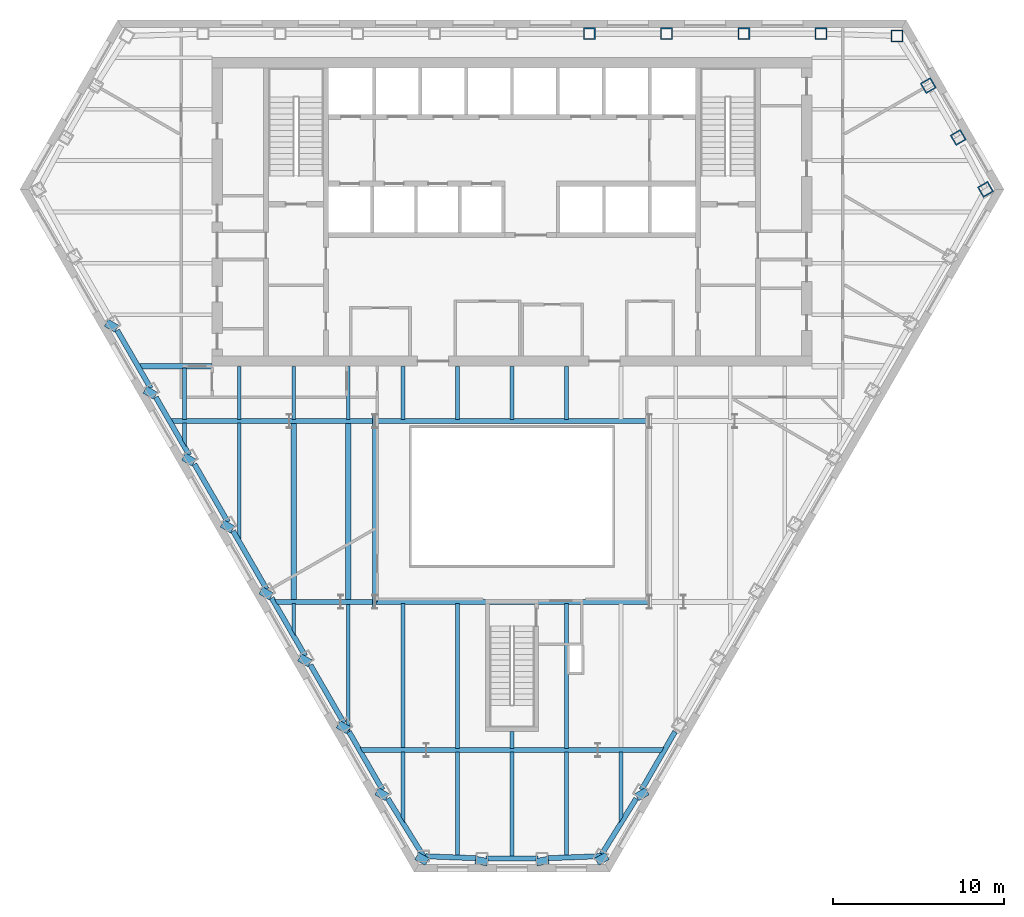
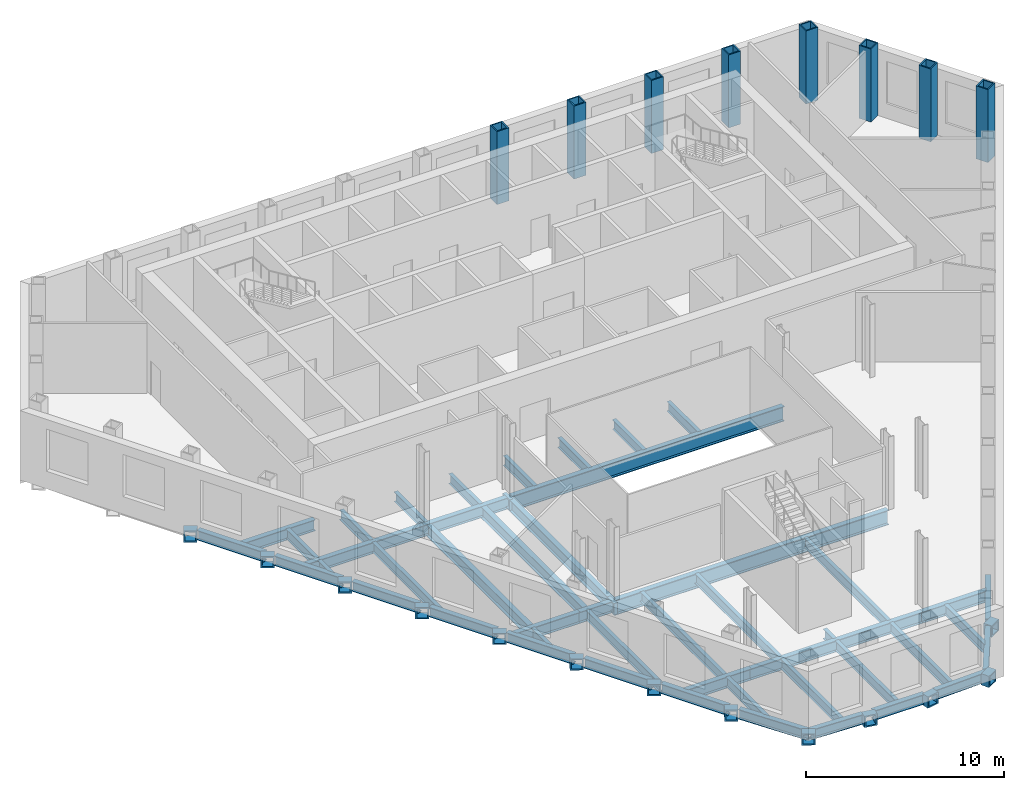
# One storey, part 2 of 11: 62 beams, 8 columns.
"""IFC4 building model written with IfcOpenShell, lengths in metres."""

from ifc_helpers import new_model, si_unit, direction, frame, origin, origin_2d, place, context, subcontext, project, spatial, hollow_rectangle, i_section, extrude, clip, halfspace, material, material_profile, profile_set, type_object, element, save


model = new_model("IFC4")

# Units and contexts
model_context = context("Model", 3, precision=1e-05, world=origin(), true_north=direction((0.0, 1.0)))
body_context = subcontext(model_context, "Body", "Model", "MODEL_VIEW")
ifc_project = project(units=[si_unit("LENGTHUNIT", "METRE"), si_unit("AREAUNIT", "SQUARE_METRE"), si_unit("VOLUMEUNIT", "CUBIC_METRE"), si_unit("PLANEANGLEUNIT", "RADIAN"), si_unit("MASSUNIT", "GRAM", prefix="KILO")], contexts=[model_context])

# Site, building, storey
site_placement = place(None, origin())
site = spatial("IfcSite", under=ifc_project, at=site_placement, CompositionType="ELEMENT")
building_placement = place(site_placement, origin())
building = spatial("IfcBuilding", under=site, at=building_placement, Name="Njiva Tower", CompositionType="ELEMENT")
storey_placement = place(building_placement, frame((0.0, 0.0, 46.8)))
storey = spatial("IfcBuildingStorey", under=building, at=storey_placement, Name="L09", CompositionType="ELEMENT", Elevation=46.8)

# Columns
ifc_material = material(Name="Steel S355 J2", Category="steel")
ifc_material_profile_1 = material_profile(ifc_material, hollow_rectangle(XDim=0.7, YDim=0.7, WallThickness=0.07, at=origin_2d()), Name="BOX 700x700x70")
ifc_profile_set_1 = profile_set([ifc_material_profile_1], Name="Steel S355 J2")
column_type = type_object("IfcColumnType", Name="C5 Perimeter tube column BOX 700x700x70", PredefinedType="COLUMN", material=ifc_profile_set_1)
for number, where, z_axis, x_axis, name in (
    (1, (22.461, 19.267, 0.0), (0.0, 0.0, 1.0), (-1.0, 0.0, 0.0), "Perimeter tube column S03-C01"),
    (2, (18.03, 19.4, 0.0), (0.0, 0.0, 1.0), (-1.0, 0.0, 0.0), "Perimeter tube column S03-C02"),
    (3, (13.523, 19.4, 0.0), (0.0, 0.0, 1.0), (-1.0, 0.0, 0.0), "Perimeter tube column S03-C03"),
    (4, (9.015, 19.4, 0.0), (0.0, 0.0, 1.0), (-1.0, 0.0, 0.0), "Perimeter tube column S03-C04"),
    (5, (4.508, 19.4, 0.0), (0.0, 0.0, 1.0), (-1.0, 0.0, 0.0), "Perimeter tube column S03-C05"),
    (6, (27.628, 10.319, 0.0), (0.0, 0.0, 1.0), (-0.5, 0.866025403784, 0.0), "Perimeter tube column S03-C37"),
    (7, (26.034, 13.346, 0.0), (0.0, 0.0, 1.0), (-0.5, 0.866025403784, 0.0), "Perimeter tube column S03-C38"),
    (8, (24.286, 16.373, 0.0), (0.0, 0.0, 1.0), (-0.5, 0.866025403784, 0.0), "Perimeter tube column S03-C39"),
):
    element("IfcColumn", number, at=place(storey_placement, frame(where, z_axis=z_axis, x_axis=x_axis)), inside=storey, type_object=column_type, Name=name, PredefinedType="COLUMN", context=body_context, shape_type="SweptSolid", body=[
        extrude(hollow_rectangle(XDim=0.7, YDim=0.7, WallThickness=0.07, at=origin_2d()), origin(), (0.0, 0.0, 1.0), 4.5),
    ])

# Beams
ifc_material_profile_2 = material_profile(ifc_material, i_section(OverallWidth=0.3, OverallDepth=0.69, WebThickness=0.0145, FlangeThickness=0.027, at=origin_2d()), Name="HEA 700")
ifc_profile_set_2 = profile_set([ifc_material_profile_2], Name="Steel S355 J2")
beam_type_1 = type_object("IfcBeamType", Name="B12 Long-span floor joist HEA 700", PredefinedType="JOIST", material=ifc_profile_set_2)
for number, where, z_axis, x_axis, name in (
    (9, (-12.733, -3.3, -0.545), (0.0, -1.0, 0.0), (1.0, 0.0, 0.0), "Long-span floor joist S03-B065"),
    (10, (-9.55, -3.3, -0.545), (0.0, -1.0, 0.0), (1.0, 0.0, 0.0), "Long-span floor joist S03-B069"),
):
    element("IfcBeam", number, at=place(storey_placement, frame(where, z_axis=z_axis, x_axis=x_axis)), inside=storey, type_object=beam_type_1, Name=name, PredefinedType="JOIST", context=body_context, shape_type="SweptSolid", body=[
        extrude(i_section(OverallWidth=0.3, OverallDepth=0.69, WebThickness=0.0145, FlangeThickness=0.027, at=origin_2d()), origin(), (0.0, 0.0, 1.0), 10.35),
    ])
ifc_material_profile_3 = material_profile(ifc_material, i_section(OverallWidth=0.22, OverallDepth=0.6, WebThickness=0.012, FlangeThickness=0.019, at=origin_2d()), Name="IPE 600")
ifc_profile_set_3 = profile_set([ifc_material_profile_3], Name="Steel S355 J2")
beam_type_2 = type_object("IfcBeamType", Name="B13 Floor joist IPE 600", PredefinedType="JOIST", material=ifc_profile_set_3)
beam_1_placement = place(storey_placement, frame((-15.917, -3.3, -0.5), z_axis=(0.0, -1.0, 0.0), x_axis=(1.0, 0.0, 0.0)))
element("IfcBeam", 11, at=beam_1_placement, inside=storey, type_object=beam_type_2, Name="Floor joist S03-B062", PredefinedType="JOIST", context=body_context, shape_type="Clipping", body=[
    clip(extrude(i_section(OverallWidth=0.22, OverallDepth=0.6, WebThickness=0.012, FlangeThickness=0.019, at=origin_2d()), origin(), (0.0, 0.0, 1.0), 6.942), halfspace(frame((-0.043, 0.0, 6.6564), z_axis=(-0.866026552831, 0.0, 0.499998009787), x_axis=(0.0, 1.0, 0.0)), False)),
])
beam_2_placement = place(storey_placement, frame((-9.55, -13.85, -0.5), z_axis=(0.0, -1.0, 0.0), x_axis=(1.0, 0.0, 0.0)))
element("IfcBeam", 12, at=beam_2_placement, inside=storey, type_object=beam_type_2, Name="Floor joist S03-B067", PredefinedType="JOIST", context=body_context, shape_type="Clipping", body=[
    clip(extrude(i_section(OverallWidth=0.22, OverallDepth=0.6, WebThickness=0.012, FlangeThickness=0.019, at=origin_2d()), origin(), (0.0, 0.0, 1.0), 7.635), halfspace(frame((-0.0433, 0.0, 7.349), z_axis=(-0.866026552831, 0.0, 0.499998009787), x_axis=(0.0, 1.0, 0.0)), False)),
])
for number, where, z_axis, x_axis, name in (
    (13, (-6.367, -13.851, -0.5), (0.0, -1.0, 0.0), (1.0, 0.0, 0.0), "Floor joist S03-B072"),
    (14, (-3.183, -13.851, -0.5), (0.0, -1.0, 0.0), (1.0, 0.0, 0.0), "Floor joist S03-B075"),
):
    element("IfcBeam", number, at=place(storey_placement, frame(where, z_axis=z_axis, x_axis=x_axis)), inside=storey, type_object=beam_type_2, Name=name, PredefinedType="JOIST", context=body_context, shape_type="SweptSolid", body=[
        extrude(i_section(OverallWidth=0.22, OverallDepth=0.6, WebThickness=0.012, FlangeThickness=0.019, at=origin_2d()), origin(), (0.0, 0.0, 1.0), 8.449),
    ])
beam_3_placement = place(storey_placement, frame((-3.183, -22.5, -0.5), z_axis=(0.0, -1.0, 0.0), x_axis=(1.0, 0.0, 0.0)))
element("IfcBeam", 15, at=beam_3_placement, inside=storey, type_object=beam_type_2, Name="Floor joist S03-B074", PredefinedType="JOIST", context=body_context, shape_type="SweptSolid", body=[
    extrude(i_section(OverallWidth=0.22, OverallDepth=0.6, WebThickness=0.012, FlangeThickness=0.019, at=origin_2d()), origin(), (0.0, 0.0, 1.0), 6.059),
])
beam_4_placement = place(storey_placement, frame((0.0, -22.5, -0.5), z_axis=(0.0, -1.0, 0.0), x_axis=(1.0, 0.0, 0.0)))
element("IfcBeam", 16, at=beam_4_placement, inside=storey, type_object=beam_type_2, Name="Floor joist S03-B077", PredefinedType="JOIST", context=body_context, shape_type="SweptSolid", body=[
    extrude(i_section(OverallWidth=0.22, OverallDepth=0.6, WebThickness=0.012, FlangeThickness=0.019, at=origin_2d()), origin(), (0.0, 0.0, 1.0), 6.119),
])
beam_5_placement = place(storey_placement, frame((3.183, -13.851, -0.5), z_axis=(0.0, -1.0, 0.0), x_axis=(1.0, 0.0, 0.0)))
element("IfcBeam", 17, at=beam_5_placement, inside=storey, type_object=beam_type_2, Name="Floor joist S03-B081", PredefinedType="JOIST", context=body_context, shape_type="SweptSolid", body=[
    extrude(i_section(OverallWidth=0.22, OverallDepth=0.6, WebThickness=0.012, FlangeThickness=0.019, at=origin_2d()), origin(), (0.0, 0.0, 1.0), 8.449),
])
beam_6_placement = place(storey_placement, frame((3.183, -22.5, -0.5), z_axis=(0.0, -1.0, 0.0), x_axis=(1.0, 0.0, 0.0)))
element("IfcBeam", 18, at=beam_6_placement, inside=storey, type_object=beam_type_2, Name="Floor joist S03-B080", PredefinedType="JOIST", context=body_context, shape_type="SweptSolid", body=[
    extrude(i_section(OverallWidth=0.22, OverallDepth=0.6, WebThickness=0.012, FlangeThickness=0.019, at=origin_2d()), origin(), (0.0, 0.0, 1.0), 6.059),
])
ifc_material_profile_4 = material_profile(ifc_material, i_section(OverallWidth=0.22, OverallDepth=0.6, WebThickness=0.012, FlangeThickness=0.019, at=origin_2d()), Name="IPE 600")
ifc_profile_set_4 = profile_set([ifc_material_profile_4], Name="Steel S355 J2")
beam_type_3 = type_object("IfcBeamType", Name="B14 Short-span floor joist IPE 600", PredefinedType="JOIST", material=ifc_profile_set_4)
beam_7_placement = place(storey_placement, frame((-19.1, -0.1, -0.5), z_axis=(0.0, -1.0, 0.0), x_axis=(1.0, 0.0, 0.0)))
element("IfcBeam", 19, at=beam_7_placement, inside=storey, type_object=beam_type_3, Name="Short-span floor joist S03-B061", PredefinedType="JOIST", context=body_context, shape_type="SweptSolid", body=[
    extrude(i_section(OverallWidth=0.22, OverallDepth=0.6, WebThickness=0.012, FlangeThickness=0.019, at=origin_2d()), origin(), (0.0, 0.0, 1.0), 3.0),
])
beam_8_placement = place(storey_placement, frame((-19.1, -3.3, -0.5), z_axis=(0.0, -1.0, 0.0), x_axis=(1.0, 0.0, 0.0)))
element("IfcBeam", 20, at=beam_8_placement, inside=storey, type_object=beam_type_3, Name="Short-span floor joist S03-B060", PredefinedType="JOIST", context=body_context, shape_type="Clipping", body=[
    clip(extrude(i_section(OverallWidth=0.22, OverallDepth=0.6, WebThickness=0.012, FlangeThickness=0.019, at=origin_2d()), origin(), (0.0, 0.0, 1.0), 1.429), halfspace(frame((-0.0433, 0.0, 1.1427), z_axis=(-0.866026552831, 0.0, 0.499998009787), x_axis=(0.0, 1.0, 0.0)), False)),
])
for number, where, z_axis, x_axis, name in (
    (21, (-15.917, -0.005, -0.5), (0.0, -1.0, 0.0), (1.0, 0.0, 0.0), "Short-span floor joist S03-B063"),
    (22, (-12.733, -0.005, -0.5), (0.0, -1.0, 0.0), (1.0, 0.0, 0.0), "Short-span floor joist S03-B066"),
):
    element("IfcBeam", number, at=place(storey_placement, frame(where, z_axis=z_axis, x_axis=x_axis)), inside=storey, type_object=beam_type_3, Name=name, PredefinedType="JOIST", context=body_context, shape_type="SweptSolid", body=[
        extrude(i_section(OverallWidth=0.22, OverallDepth=0.6, WebThickness=0.012, FlangeThickness=0.019, at=origin_2d()), origin(), (0.0, 0.0, 1.0), 3.095),
    ])
beam_9_placement = place(storey_placement, frame((-12.733, -13.85, -0.5), z_axis=(0.0, -1.0, 0.0), x_axis=(1.0, 0.0, 0.0)))
element("IfcBeam", 23, at=beam_9_placement, inside=storey, type_object=beam_type_3, Name="Short-span floor joist S03-B064", PredefinedType="JOIST", context=body_context, shape_type="Clipping", body=[
    clip(extrude(i_section(OverallWidth=0.22, OverallDepth=0.6, WebThickness=0.012, FlangeThickness=0.019, at=origin_2d()), origin(), (0.0, 0.0, 1.0), 1.906), halfspace(frame((-0.0436, 0.0, 1.6201), z_axis=(-0.866026552831, 0.0, 0.499998009787), x_axis=(0.0, 1.0, 0.0)), False)),
])
beam_10_placement = place(storey_placement, frame((-9.55, -0.005, -0.5), z_axis=(0.0, -1.0, 0.0), x_axis=(1.0, 0.0, 0.0)))
element("IfcBeam", 24, at=beam_10_placement, inside=storey, type_object=beam_type_3, Name="Short-span floor joist S03-B070", PredefinedType="JOIST", context=body_context, shape_type="SweptSolid", body=[
    extrude(i_section(OverallWidth=0.22, OverallDepth=0.6, WebThickness=0.012, FlangeThickness=0.019, at=origin_2d()), origin(), (0.0, 0.0, 1.0), 3.095),
])
beam_11_placement = place(storey_placement, frame((-6.367, -0.005, -0.5), z_axis=(0.0, -1.0, 0.0), x_axis=(1.0, 0.0, 0.0)))
element("IfcBeam", 25, at=beam_11_placement, inside=storey, type_object=beam_type_3, Name="Short-span floor joist S03-B073", PredefinedType="JOIST", context=body_context, shape_type="SweptSolid", body=[
    extrude(i_section(OverallWidth=0.22, OverallDepth=0.6, WebThickness=0.012, FlangeThickness=0.019, at=origin_2d()), origin(), (0.0, 0.0, 1.0), 3.094),
])
beam_12_placement = place(storey_placement, frame((-6.367, -22.5, -0.5), z_axis=(0.0, -1.0, 0.0), x_axis=(1.0, 0.0, 0.0)))
element("IfcBeam", 26, at=beam_12_placement, inside=storey, type_object=beam_type_3, Name="Short-span floor joist S03-B071", PredefinedType="JOIST", context=body_context, shape_type="Clipping", body=[
    clip(extrude(i_section(OverallWidth=0.22, OverallDepth=0.6, WebThickness=0.012, FlangeThickness=0.019, at=origin_2d()), origin(), (0.0, 0.0, 1.0), 4.151), halfspace(frame((-0.0422, 0.0, 3.8844), z_axis=(-0.850620428373, 0.0, 0.525780264783), x_axis=(0.0, 1.0, 0.0)), False)),
])
for number, where, z_axis, x_axis, name in (
    (27, (-3.183, -0.005, -0.5), (0.0, -1.0, 0.0), (1.0, 0.0, 0.0), "Short-span floor joist S03-B076"),
    (28, (0.0, -0.005, -0.5), (0.0, -1.0, 0.0), (1.0, 0.0, 0.0), "Short-span floor joist S03-B079"),
):
    element("IfcBeam", number, at=place(storey_placement, frame(where, z_axis=z_axis, x_axis=x_axis)), inside=storey, type_object=beam_type_3, Name=name, PredefinedType="JOIST", context=body_context, shape_type="SweptSolid", body=[
        extrude(i_section(OverallWidth=0.22, OverallDepth=0.6, WebThickness=0.012, FlangeThickness=0.019, at=origin_2d()), origin(), (0.0, 0.0, 1.0), 3.094),
    ])
beam_13_placement = place(storey_placement, frame((0.0, -21.3, -0.5), z_axis=(0.0, -1.0, 0.0), x_axis=(1.0, 0.0, 0.0)))
element("IfcBeam", 29, at=beam_13_placement, inside=storey, type_object=beam_type_3, Name="Short-span floor joist S03-B078", PredefinedType="JOIST", context=body_context, shape_type="SweptSolid", body=[
    extrude(i_section(OverallWidth=0.22, OverallDepth=0.6, WebThickness=0.012, FlangeThickness=0.019, at=origin_2d()), origin(), (0.0, 0.0, 1.0), 1.0),
])
beam_14_placement = place(storey_placement, frame((3.183, -0.005, -0.5), z_axis=(0.0, -1.0, 0.0), x_axis=(1.0, 0.0, 0.0)))
element("IfcBeam", 30, at=beam_14_placement, inside=storey, type_object=beam_type_3, Name="Short-span floor joist S03-B082", PredefinedType="JOIST", context=body_context, shape_type="SweptSolid", body=[
    extrude(i_section(OverallWidth=0.22, OverallDepth=0.6, WebThickness=0.012, FlangeThickness=0.019, at=origin_2d()), origin(), (0.0, 0.0, 1.0), 3.094),
])
beam_15_placement = place(storey_placement, frame((6.367, -22.5, -0.5), z_axis=(0.0, -1.0, 0.0), x_axis=(1.0, 0.0, 0.0)))
element("IfcBeam", 31, at=beam_15_placement, inside=storey, type_object=beam_type_3, Name="Short-span floor joist S03-B083", PredefinedType="JOIST", context=body_context, shape_type="Clipping", body=[
    clip(extrude(i_section(OverallWidth=0.22, OverallDepth=0.6, WebThickness=0.012, FlangeThickness=0.019, at=origin_2d()), origin(), (0.0, 0.0, 1.0), 4.151), halfspace(frame((0.0422, 0.0, 3.8844), z_axis=(0.850620428373, 0.0, 0.525780264783), x_axis=(0.0, 1.0, 0.0)), False)),
])
ifc_material_profile_5 = material_profile(ifc_material, i_section(OverallWidth=0.3, OverallDepth=0.69, WebThickness=0.0145, FlangeThickness=0.027, at=origin_2d()), Name="HEA 700")
ifc_profile_set_5 = profile_set([ifc_material_profile_5], Name="Steel S355 J2")
beam_type_4 = type_object("IfcBeamType", Name="B15 Floor girder HEA 700", PredefinedType="BEAM", material=ifc_profile_set_5)
beam_16_placement = place(storey_placement, frame((-19.968, -3.2, -0.545), z_axis=(1.0, 0.0, 0.0), x_axis=(0.0, 1.0, 0.0)))
element("IfcBeam", 32, at=beam_16_placement, inside=storey, type_object=beam_type_4, Name="Floor girder S03-B016", PredefinedType="BEAM", context=body_context, shape_type="Clipping", body=[
    clip(extrude(i_section(OverallWidth=0.3, OverallDepth=0.69, WebThickness=0.0145, FlangeThickness=0.027, at=origin_2d()), origin(), (0.0, 0.0, 1.0), 6.968), halfspace(frame((-0.025, 0.0, 0.1217), z_axis=(-0.499998009787, 0.0, -0.866026552831), x_axis=(0.0, -1.0, 0.0)), False)),
])
beam_17_placement = place(storey_placement, frame((-13.0, -3.2, -0.545), z_axis=(1.0, 0.0, 0.0), x_axis=(0.0, 1.0, 0.0)))
element("IfcBeam", 33, at=beam_17_placement, inside=storey, type_object=beam_type_4, Name="Floor girder S03-B018", PredefinedType="BEAM", context=body_context, shape_type="SweptSolid", body=[
    extrude(i_section(OverallWidth=0.3, OverallDepth=0.69, WebThickness=0.0145, FlangeThickness=0.027, at=origin_2d()), origin(), (0.0, 0.0, 1.0), 5.0),
])
ifc_material_profile_6 = material_profile(ifc_material, i_section(OverallWidth=0.3, OverallDepth=0.69, WebThickness=0.0145, FlangeThickness=0.027, at=origin_2d()), Name="HEA 700")
ifc_profile_set_6 = profile_set([ifc_material_profile_6], Name="Steel S355 J2")
beam_type_5 = type_object("IfcBeamType", Name="B16 Short-span floor girder HEA 700", PredefinedType="BEAM", material=ifc_profile_set_6)
beam_18_placement = place(storey_placement, frame((-13.877, -13.75, -0.545), z_axis=(1.0, 0.0, 0.0), x_axis=(0.0, 1.0, 0.0)))
element("IfcBeam", 34, at=beam_18_placement, inside=storey, type_object=beam_type_5, Name="Short-span floor girder S03-B017", PredefinedType="BEAM", context=body_context, shape_type="Clipping", body=[
    clip(extrude(i_section(OverallWidth=0.3, OverallDepth=0.69, WebThickness=0.0145, FlangeThickness=0.027, at=origin_2d()), origin(), (0.0, 0.0, 1.0), 3.877), halfspace(frame((-0.025, 0.0, 0.1217), z_axis=(-0.499998009787, 0.0, -0.866026552831), x_axis=(0.0, -1.0, 0.0)), False)),
])
beam_19_placement = place(storey_placement, frame((-10.0, -13.75, -0.545), z_axis=(1.0, 0.0, 0.0), x_axis=(0.0, 1.0, 0.0)))
element("IfcBeam", 35, at=beam_19_placement, inside=storey, type_object=beam_type_5, Name="Short-span floor girder S03-B019", PredefinedType="BEAM", context=body_context, shape_type="SweptSolid", body=[
    extrude(i_section(OverallWidth=0.3, OverallDepth=0.69, WebThickness=0.0145, FlangeThickness=0.027, at=origin_2d()), origin(), (0.0, 0.0, 1.0), 2.0),
])
beam_20_placement = place(storey_placement, frame((-8.883, -22.4, -0.545), z_axis=(1.0, 0.0, 0.0), x_axis=(0.0, 1.0, 0.0)))
element("IfcBeam", 36, at=beam_20_placement, inside=storey, type_object=beam_type_5, Name="Short-span floor girder S03-B020", PredefinedType="BEAM", context=body_context, shape_type="Clipping", body=[
    clip(extrude(i_section(OverallWidth=0.3, OverallDepth=0.69, WebThickness=0.0145, FlangeThickness=0.027, at=origin_2d()), origin(), (0.0, 0.0, 1.0), 3.883), halfspace(frame((-0.025, 0.0, 0.1218), z_axis=(-0.499998009787, 0.0, -0.866026552831), x_axis=(0.0, -1.0, 0.0)), False)),
])
beam_21_placement = place(storey_placement, frame((5.0, -22.4, -0.545), z_axis=(1.0, 0.0, 0.0), x_axis=(0.0, 1.0, 0.0)))
element("IfcBeam", 37, at=beam_21_placement, inside=storey, type_object=beam_type_5, Name="Short-span floor girder S03-B022", PredefinedType="BEAM", context=body_context, shape_type="Clipping", body=[
    clip(extrude(i_section(OverallWidth=0.3, OverallDepth=0.69, WebThickness=0.0145, FlangeThickness=0.027, at=origin_2d()), origin(), (0.0, 0.0, 1.0), 3.883), halfspace(frame((-0.025, 0.0, 3.7612), z_axis=(-0.499998009787, 0.0, 0.866026552831), x_axis=(0.0, 1.0, 0.0)), False)),
])
beam_22_placement = place(storey_placement, frame((-21.815, 0.0, -0.545), z_axis=(1.0, 0.0, 0.0), x_axis=(0.0, 1.0, 0.0)))
element("IfcBeam", 38, at=beam_22_placement, inside=storey, type_object=beam_type_5, Name="Short-span floor girder S03-B015", PredefinedType="BEAM", context=body_context, shape_type="Clipping", body=[
    clip(extrude(i_section(OverallWidth=0.3, OverallDepth=0.69, WebThickness=0.0145, FlangeThickness=0.027, at=origin_2d()), origin(), (0.0, 0.0, 1.0), 4.315), halfspace(frame((-0.025, 0.0, 0.1211), z_axis=(-0.499998009787, 0.0, -0.866026552831), x_axis=(0.0, -1.0, 0.0)), False)),
])
ifc_material_profile_7 = material_profile(ifc_material, i_section(OverallWidth=0.3, OverallDepth=0.69, WebThickness=0.0145, FlangeThickness=0.027, at=origin_2d()), Name="HEA 700")
ifc_profile_set_7 = profile_set([ifc_material_profile_7], Name="Steel S355 J2")
beam_type_6 = type_object("IfcBeamType", Name="B17 Long-span floor girder HEA 700", PredefinedType="BEAM", material=ifc_profile_set_7)
beam_23_placement = place(storey_placement, frame((-5.0, -22.4, -0.545), z_axis=(1.0, 0.0, 0.0), x_axis=(0.0, 1.0, 0.0)))
element("IfcBeam", 39, at=beam_23_placement, inside=storey, type_object=beam_type_6, Name="Long-span floor girder S03-B021", PredefinedType="BEAM", context=body_context, shape_type="SweptSolid", body=[
    extrude(i_section(OverallWidth=0.3, OverallDepth=0.69, WebThickness=0.0145, FlangeThickness=0.027, at=origin_2d()), origin(), (0.0, 0.0, 1.0), 10.0),
])
ifc_material_profile_8 = material_profile(ifc_material, i_section(OverallWidth=0.3, OverallDepth=0.69, WebThickness=0.0145, FlangeThickness=0.027, at=origin_2d()), Name="HEA 700")
ifc_profile_set_8 = profile_set([ifc_material_profile_8], Name="Steel S355 J2")
beam_type_7 = type_object("IfcBeamType", Name="B18 Long-span atrium trimmer beam HEA 700", PredefinedType="BEAM", material=ifc_profile_set_8)
beam_24_placement = place(storey_placement, frame((-8.0, -3.2, -0.545), z_axis=(0.0, -1.0, 0.0), x_axis=(1.0, 0.0, 0.0)))
element("IfcBeam", 40, at=beam_24_placement, inside=storey, type_object=beam_type_7, Name="Long-span atrium trimmer beam S03-B097", PredefinedType="BEAM", context=body_context, shape_type="SweptSolid", body=[
    extrude(i_section(OverallWidth=0.3, OverallDepth=0.69, WebThickness=0.0145, FlangeThickness=0.027, at=origin_2d()), origin(), (0.0, 0.0, 1.0), 10.55),
])
ifc_material_profile_9 = material_profile(ifc_material, hollow_rectangle(XDim=0.7, YDim=0.7, WallThickness=0.08, at=origin_2d()), Name="BOX 700x700x80")
ifc_profile_set_9 = profile_set([ifc_material_profile_9], Name="Steel S355 J2")
beam_type_8 = type_object("IfcBeamType", Name="B19 Column jog beam BOX 700x700x80", PredefinedType="BEAM", material=ifc_profile_set_9)
beam_25_placement = place(storey_placement, frame((-23.483, 2.154, -0.55), z_axis=(0.504527147117, 0.863395829167, 0.0), x_axis=(-0.863395829167, 0.504527147117, 0.0)))
element("IfcBeam", 41, at=beam_25_placement, inside=storey, type_object=beam_type_8, Name="Column jog beam S03-B032", PredefinedType="BEAM", context=body_context, shape_type="SweptSolid", body=[
    extrude(hollow_rectangle(XDim=0.7, YDim=0.7, WallThickness=0.08, at=origin_2d()), origin(), (0.0, 0.0, 1.0), 0.4737),
])
beam_26_placement = place(storey_placement, frame((-21.228, -1.75, -0.55), z_axis=(0.502950987997, 0.864314933154, 0.0), x_axis=(-0.864314933154, 0.502950987997, 0.0)))
element("IfcBeam", 42, at=beam_26_placement, inside=storey, type_object=beam_type_8, Name="Column jog beam S03-B033", PredefinedType="BEAM", context=body_context, shape_type="SweptSolid", body=[
    extrude(hollow_rectangle(XDim=0.7, YDim=0.7, WallThickness=0.08, at=origin_2d()), origin(), (0.0, 0.0, 1.0), 0.4732),
])
for number, where, z_axis, x_axis, name in (
    (43, (-18.974, -5.655, -0.55), (0.501119266826, 0.865378229687, 0.0), (-0.865378229687, 0.501119266826, 0.0), "Column jog beam S03-B034"),
    (44, (-16.72, -9.559, -0.55), (0.501119266826, 0.865378229687, 0.0), (-0.865378229687, 0.501119266826, 0.0), "Column jog beam S03-B035"),
):
    element("IfcBeam", number, at=place(storey_placement, frame(where, z_axis=z_axis, x_axis=x_axis)), inside=storey, type_object=beam_type_8, Name=name, PredefinedType="BEAM", context=body_context, shape_type="SweptSolid", body=[
        extrude(hollow_rectangle(XDim=0.7, YDim=0.7, WallThickness=0.08, at=origin_2d()), origin(), (0.0, 0.0, 1.0), 0.4749),
    ])
beam_27_placement = place(storey_placement, frame((-14.465, -13.464, -0.55), z_axis=(0.498629231199, 0.86681537238, 0.0), x_axis=(-0.86681537238, 0.498629231199, 0.0)))
element("IfcBeam", 45, at=beam_27_placement, inside=storey, type_object=beam_type_8, Name="Column jog beam S03-B036", PredefinedType="BEAM", context=body_context, shape_type="SweptSolid", body=[
    extrude(hollow_rectangle(XDim=0.7, YDim=0.7, WallThickness=0.08, at=origin_2d()), origin(), (0.0, 0.0, 1.0), 0.4753),
])
for number, where, z_axis, x_axis, name in (
    (46, (-12.211, -17.369, -0.55), (0.495234720822, 0.868759213645, 0.0), (-0.868759213645, 0.495234720822, 0.0), "Column jog beam S03-B037"),
    (47, (-9.957, -21.273, -0.55), (0.495234720822, 0.868759213645, 0.0), (-0.868759213645, 0.495234720822, 0.0), "Column jog beam S03-B038"),
):
    element("IfcBeam", number, at=place(storey_placement, frame(where, z_axis=z_axis, x_axis=x_axis)), inside=storey, type_object=beam_type_8, Name=name, PredefinedType="BEAM", context=body_context, shape_type="SweptSolid", body=[
        extrude(hollow_rectangle(XDim=0.7, YDim=0.7, WallThickness=0.08, at=origin_2d()), origin(), (0.0, 0.0, 1.0), 0.4765),
    ])
beam_28_placement = place(storey_placement, frame((-7.701, -25.178, -0.55), z_axis=(0.489562784605, 0.871968049833, 0.0), x_axis=(-0.871968049833, 0.489562784605, 0.0)))
element("IfcBeam", 48, at=beam_28_placement, inside=storey, type_object=beam_type_8, Name="Column jog beam S03-B041", PredefinedType="BEAM", context=body_context, shape_type="SweptSolid", body=[
    extrude(hollow_rectangle(XDim=0.7, YDim=0.7, WallThickness=0.08, at=origin_2d()), origin(), (0.0, 0.0, 1.0), 0.4759),
])
beam_29_placement = place(storey_placement, frame((-5.37, -28.949, -0.55), z_axis=(0.488667231334, 0.872470249935, 0.0), x_axis=(-0.872470249935, 0.488667231334, 0.0)))
element("IfcBeam", 49, at=beam_29_placement, inside=storey, type_object=beam_type_8, Name="Column jog beam S03-B042", PredefinedType="BEAM", context=body_context, shape_type="SweptSolid", body=[
    extrude(hollow_rectangle(XDim=0.7, YDim=0.7, WallThickness=0.08, at=origin_2d()), origin(), (0.0, 0.0, 1.0), 0.4768),
])
for number, where, z_axis, x_axis, name in (
    (50, (-1.817, -29.089, -0.55), (0.183319962762, 0.983053300311, 0.0), (-0.983053300311, 0.183319962762, 0.0), "Column jog beam S03-B043"),
    (51, (1.817, -29.089, -0.55), (-0.183319962762, 0.983053300311, 0.0), (-0.983053300311, -0.183319962762, 0.0), "Column jog beam S03-B044"),
):
    element("IfcBeam", number, at=place(storey_placement, frame(where, z_axis=z_axis, x_axis=x_axis)), inside=storey, type_object=beam_type_8, Name=name, PredefinedType="BEAM", context=body_context, shape_type="SweptSolid", body=[
        extrude(hollow_rectangle(XDim=0.7, YDim=0.7, WallThickness=0.08, at=origin_2d()), origin(), (0.0, 0.0, 1.0), 0.4364),
    ])
beam_30_placement = place(storey_placement, frame((5.37, -28.949, -0.55), z_axis=(-0.488667231334, 0.872470249935, 0.0), x_axis=(-0.872470249935, -0.488667231334, 0.0)))
element("IfcBeam", 52, at=beam_30_placement, inside=storey, type_object=beam_type_8, Name="Column jog beam S03-B045", PredefinedType="BEAM", context=body_context, shape_type="SweptSolid", body=[
    extrude(hollow_rectangle(XDim=0.7, YDim=0.7, WallThickness=0.08, at=origin_2d()), origin(), (0.0, 0.0, 1.0), 0.4768),
])
beam_31_placement = place(storey_placement, frame((7.701, -25.178, -0.55), z_axis=(-0.489562784605, 0.871968049833, 0.0), x_axis=(-0.871968049833, -0.489562784605, 0.0)))
element("IfcBeam", 53, at=beam_31_placement, inside=storey, type_object=beam_type_8, Name="Column jog beam S03-B046", PredefinedType="BEAM", context=body_context, shape_type="SweptSolid", body=[
    extrude(hollow_rectangle(XDim=0.7, YDim=0.7, WallThickness=0.08, at=origin_2d()), origin(), (0.0, 0.0, 1.0), 0.4759),
])
for number, where, z_axis, x_axis, name in (
    (54, (-8.15, -3.2, -0.55), (1.0, 0.0, 0.0), (0.0, 1.0, 0.0), "Column jog beam S03-B040"),
    (55, (-8.15, -13.75, -0.55), (1.0, 0.0, 0.0), (0.0, 1.0, 0.0), "Column jog beam S03-B039"),
):
    element("IfcBeam", number, at=place(storey_placement, frame(where, z_axis=z_axis, x_axis=x_axis)), inside=storey, type_object=beam_type_8, Name=name, PredefinedType="BEAM", context=body_context, shape_type="SweptSolid", body=[
        extrude(hollow_rectangle(XDim=0.7, YDim=0.7, WallThickness=0.08, at=origin_2d()), origin(), (0.0, 0.0, 1.0), 0.21),
    ])
ifc_material_profile_10 = material_profile(ifc_material, i_section(OverallWidth=0.3, OverallDepth=0.6, WebThickness=0.0155, FlangeThickness=0.03, at=origin_2d()), Name="HEB 600")
ifc_profile_set_10 = profile_set([ifc_material_profile_10], Name="Steel S355 J2")
beam_type_9 = type_object("IfcBeamType", Name="B3 Short-span spandrel beam HEB 600", PredefinedType="SPANDREL", material=ifc_profile_set_10)
for number, where, z_axis, x_axis, name in (
    (56, (-23.036, 2.1, -0.5), (0.499936548189, -0.866062034606, 0.0), (0.866062034606, 0.499936548189, 0.0), "Short-span spandrel beam S03-B114"),
    (57, (-20.782, -1.804, -0.5), (0.499936548189, -0.866062034606, 0.0), (0.866062034606, 0.499936548189, 0.0), "Short-span spandrel beam S03-B118"),
):
    element("IfcBeam", number, at=place(storey_placement, frame(where, z_axis=z_axis, x_axis=x_axis)), inside=storey, type_object=beam_type_9, Name=name, PredefinedType="SPANDREL", context=body_context, shape_type="SweptSolid", body=[
        extrude(i_section(OverallWidth=0.3, OverallDepth=0.6, WebThickness=0.0155, FlangeThickness=0.03, at=origin_2d()), origin(), (0.0, 0.0, 1.0), 3.9085),
    ])
beam_32_placement = place(storey_placement, frame((-18.528, -5.709, -0.5), z_axis=(0.500047346826, -0.865998066356, 0.0), x_axis=(0.865998066356, 0.500047346826, 0.0)))
element("IfcBeam", 58, at=beam_32_placement, inside=storey, type_object=beam_type_9, Name="Short-span spandrel beam S03-B120", PredefinedType="SPANDREL", context=body_context, shape_type="SweptSolid", body=[
    extrude(i_section(OverallWidth=0.3, OverallDepth=0.6, WebThickness=0.0155, FlangeThickness=0.03, at=origin_2d()), origin(), (0.0, 0.0, 1.0), 3.9076),
])
beam_33_placement = place(storey_placement, frame((-16.274, -9.613, -0.5), z_axis=(0.500017645376, -0.866015215982, 0.0), x_axis=(0.866015215982, 0.500017645376, 0.0)))
element("IfcBeam", 59, at=beam_33_placement, inside=storey, type_object=beam_type_9, Name="Short-span spandrel beam S03-B124", PredefinedType="SPANDREL", context=body_context, shape_type="SweptSolid", body=[
    extrude(i_section(OverallWidth=0.3, OverallDepth=0.6, WebThickness=0.0155, FlangeThickness=0.03, at=origin_2d()), origin(), (0.0, 0.0, 1.0), 3.9099),
])
beam_34_placement = place(storey_placement, frame((-14.019, -13.518, -0.5), z_axis=(0.499936548189, -0.866062034606, 0.0), x_axis=(0.866062034606, 0.499936548189, 0.0)))
element("IfcBeam", 60, at=beam_34_placement, inside=storey, type_object=beam_type_9, Name="Short-span spandrel beam S03-B126", PredefinedType="SPANDREL", context=body_context, shape_type="SweptSolid", body=[
    extrude(i_section(OverallWidth=0.3, OverallDepth=0.6, WebThickness=0.0155, FlangeThickness=0.03, at=origin_2d()), origin(), (0.0, 0.0, 1.0), 3.9085),
])
beam_35_placement = place(storey_placement, frame((-11.765, -17.423, -0.5), z_axis=(0.500047346826, -0.865998066356, 0.0), x_axis=(0.865998066356, 0.500047346826, 0.0)))
element("IfcBeam", 61, at=beam_35_placement, inside=storey, type_object=beam_type_9, Name="Short-span spandrel beam S03-B130", PredefinedType="SPANDREL", context=body_context, shape_type="SweptSolid", body=[
    extrude(i_section(OverallWidth=0.3, OverallDepth=0.6, WebThickness=0.0155, FlangeThickness=0.03, at=origin_2d()), origin(), (0.0, 0.0, 1.0), 3.9076),
])
beam_36_placement = place(storey_placement, frame((-9.511, -21.327, -0.5), z_axis=(0.500017645376, -0.866015215982, 0.0), x_axis=(0.866015215982, 0.500017645376, 0.0)))
element("IfcBeam", 62, at=beam_36_placement, inside=storey, type_object=beam_type_9, Name="Short-span spandrel beam S03-B132", PredefinedType="SPANDREL", context=body_context, shape_type="SweptSolid", body=[
    extrude(i_section(OverallWidth=0.3, OverallDepth=0.6, WebThickness=0.0155, FlangeThickness=0.03, at=origin_2d()), origin(), (0.0, 0.0, 1.0), 3.9099),
])
beam_37_placement = place(storey_placement, frame((-7.243, -25.225, -0.5), z_axis=(0.525729175317, -0.850652005359, 0.0), x_axis=(0.850652005359, 0.525729175317, 0.0)))
element("IfcBeam", 63, at=beam_37_placement, inside=storey, type_object=beam_type_9, Name="Short-span spandrel beam S03-B135", PredefinedType="SPANDREL", context=body_context, shape_type="Clipping", body=[
    clip(extrude(i_section(OverallWidth=0.3, OverallDepth=0.6, WebThickness=0.0155, FlangeThickness=0.03, at=origin_2d()), origin(), (0.0, 0.0, 1.0), 4.077), halfspace(frame((-0.0264, 0.0, 3.9477), z_axis=(-0.525729175317, 0.0, 0.850652005359), x_axis=(0.0, 1.0, 0.0)), False)),
])
beam_38_placement = place(storey_placement, frame((-5.036, -28.59, -0.5), z_axis=(0.999230641021, -0.039218950074, 0.0), x_axis=(0.039218950074, 0.999230641021, 0.0)))
element("IfcBeam", 64, at=beam_38_placement, inside=storey, type_object=beam_type_9, Name="Short-span spandrel beam S03-B136", PredefinedType="SPANDREL", context=body_context, shape_type="SweptSolid", body=[
    extrude(i_section(OverallWidth=0.3, OverallDepth=0.6, WebThickness=0.0155, FlangeThickness=0.03, at=origin_2d()), origin(), (0.0, 0.0, 1.0), 2.9323),
])
beam_39_placement = place(storey_placement, frame((-1.506, -28.719, -0.5), z_axis=(1.0, 0.0, 0.0), x_axis=(0.0, 1.0, 0.0)))
element("IfcBeam", 65, at=beam_39_placement, inside=storey, type_object=beam_type_9, Name="Short-span spandrel beam S03-B139", PredefinedType="SPANDREL", context=body_context, shape_type="SweptSolid", body=[
    extrude(i_section(OverallWidth=0.3, OverallDepth=0.6, WebThickness=0.0155, FlangeThickness=0.03, at=origin_2d()), origin(), (0.0, 0.0, 1.0), 3.012),
])
beam_40_placement = place(storey_placement, frame((2.106, -28.705, -0.5), z_axis=(0.999236443664, 0.039070828687, 0.0), x_axis=(-0.039070828687, 0.999236443664, 0.0)))
element("IfcBeam", 66, at=beam_40_placement, inside=storey, type_object=beam_type_9, Name="Short-span spandrel beam S03-B143", PredefinedType="SPANDREL", context=body_context, shape_type="Clipping", body=[
    clip(extrude(i_section(OverallWidth=0.3, OverallDepth=0.6, WebThickness=0.0155, FlangeThickness=0.03, at=origin_2d()), origin(), (0.0, 0.0, 1.0), 3.1863), halfspace(frame((-0.0268, 0.0, 3.0542), z_axis=(-0.533452608222, 0.0, 0.845829956186), x_axis=(0.0, 1.0, 0.0)), False)),
])
beam_41_placement = place(storey_placement, frame((5.23, -28.482, -0.5), z_axis=(0.525743074701, 0.850643414954, 0.0), x_axis=(-0.850643414954, 0.525743074701, 0.0)))
element("IfcBeam", 67, at=beam_41_placement, inside=storey, type_object=beam_type_9, Name="Short-span spandrel beam S03-B145", PredefinedType="SPANDREL", context=body_context, shape_type="SweptSolid", body=[
    extrude(i_section(OverallWidth=0.3, OverallDepth=0.6, WebThickness=0.0155, FlangeThickness=0.03, at=origin_2d()), origin(), (0.0, 0.0, 1.0), 3.8289),
])
beam_42_placement = place(storey_placement, frame((7.556, -24.713, -0.5), z_axis=(0.500017645376, 0.866015215982, 0.0), x_axis=(-0.866015215982, 0.500017645376, 0.0)))
element("IfcBeam", 68, at=beam_42_placement, inside=storey, type_object=beam_type_9, Name="Short-span spandrel beam S03-B147", PredefinedType="SPANDREL", context=body_context, shape_type="SweptSolid", body=[
    extrude(i_section(OverallWidth=0.3, OverallDepth=0.6, WebThickness=0.0155, FlangeThickness=0.03, at=origin_2d()), origin(), (0.0, 0.0, 1.0), 3.9099),
])
ifc_material_profile_11 = material_profile(ifc_material, i_section(OverallWidth=0.302, OverallDepth=0.91, WebThickness=0.021, FlangeThickness=0.04, at=origin_2d()), Name="HEM 900")
ifc_profile_set_11 = profile_set([ifc_material_profile_11], Name="Steel S355 J2")
beam_type_10 = type_object("IfcBeamType", Name="B8 Long-span atrium trimmer beam HEM 900", PredefinedType="BEAM", material=ifc_profile_set_11)
for number, where, z_axis, x_axis, name in (
    (69, (-8.0, -13.75, -0.655), (1.0, 0.0, 0.0), (0.0, 1.0, 0.0), "Long-span atrium trimmer beam S03-B098"),
    (70, (8.0, -3.2, -0.655), (-1.0, 0.0, 0.0), (0.0, -1.0, 0.0), "Long-span atrium trimmer beam S03-B100"),
):
    element("IfcBeam", number, at=place(storey_placement, frame(where, z_axis=z_axis, x_axis=x_axis)), inside=storey, type_object=beam_type_10, Name=name, PredefinedType="BEAM", context=body_context, shape_type="SweptSolid", body=[
        extrude(i_section(OverallWidth=0.302, OverallDepth=0.91, WebThickness=0.021, FlangeThickness=0.04, at=origin_2d()), origin(), (0.0, 0.0, 1.0), 16.0),
    ])

save(model, "model.ifc")
